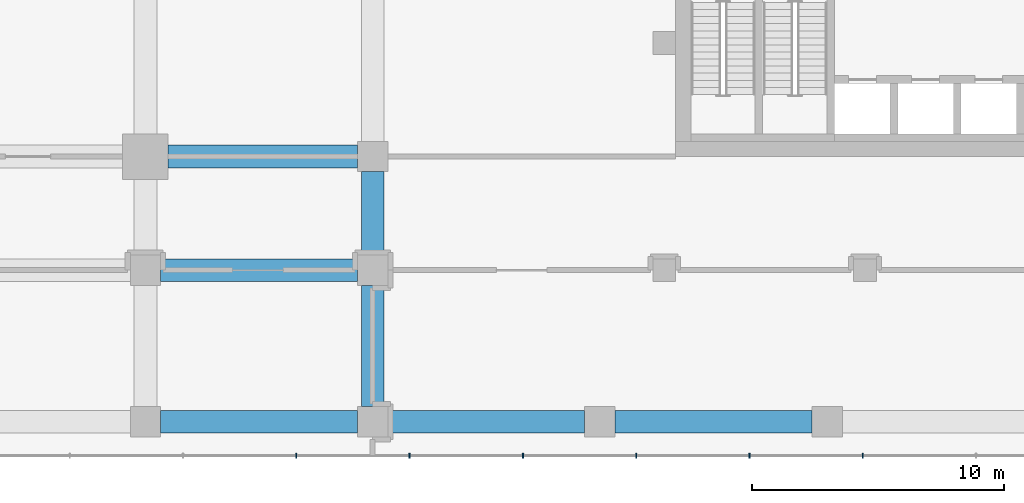
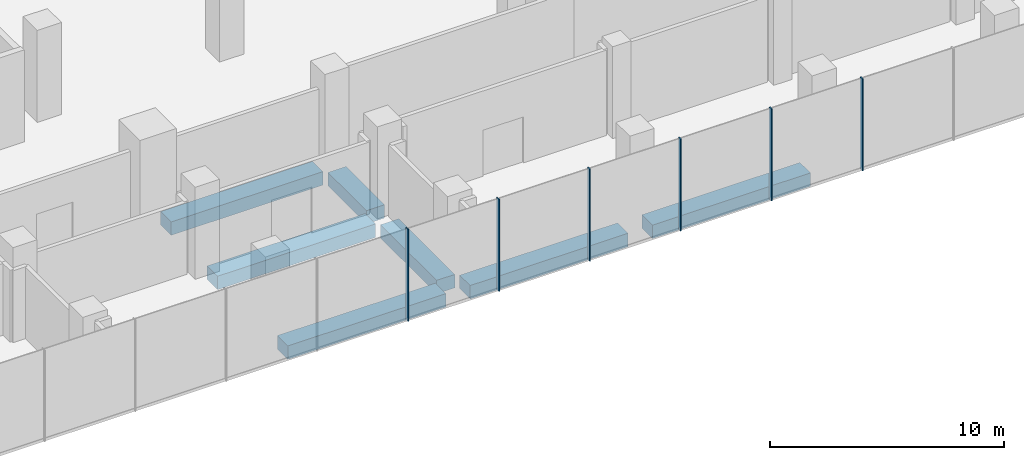
# One storey, part 13 of 42: 7 beams, 6 members, 1 element without a shape of its own.
"""IFC4 building model written with IfcOpenShell, lengths in metres."""

from ifc_helpers import new_model, si_unit, direction, frame, origin, origin_2d, place, context, subcontext, project, spatial, rectangle, extrude, material, layer, layer_set, material_profile, profile_set, type_object, element, aggregate, save


model = new_model("IFC4")

# Units and contexts
model_context = context("Model", 3, precision=1e-05, world=origin(), true_north=direction((0.0, 1.0)))
body_context = subcontext(model_context, "Body", "Model", "MODEL_VIEW")
ifc_project = project(units=[si_unit("LENGTHUNIT", "METRE"), si_unit("AREAUNIT", "SQUARE_METRE"), si_unit("VOLUMEUNIT", "CUBIC_METRE"), si_unit("PLANEANGLEUNIT", "RADIAN"), si_unit("MASSUNIT", "GRAM", prefix="KILO")], contexts=[model_context])

# Site, building, storey
site_placement = place(None, origin())
site = spatial("IfcSite", under=ifc_project, at=site_placement, CompositionType="ELEMENT")
building_placement = place(site_placement, origin())
building = spatial("IfcBuilding", under=site, at=building_placement, Name="Plateau Cross Towers", CompositionType="ELEMENT")
storey_placement = place(building_placement, frame((0.0, 0.0, 8.0)))
storey = spatial("IfcBuildingStorey", under=building, at=storey_placement, Name="L01", CompositionType="ELEMENT", Elevation=8.0)

# Curtain wall, members
ifc_material_1 = material(Name="Dark low-iron laminated glass", Category="glass")
ifc_layer = layer(ifc_material_1, 0.300048828125)
ifc_layer_set = layer_set([ifc_layer], Name="Dark low-iron laminated glass")
curtain_wall_type = type_object("IfcCurtainWallType", Name="Curtain wall structural silicone CW-C", PredefinedType="NOTDEFINED", material=ifc_layer_set)
curtain_wall_placement = place(storey_placement, origin())
curtain_wall = element("IfcCurtainWall", 1, at=curtain_wall_placement, inside=storey, type_object=curtain_wall_type, Name="ENV/P/L01/P-28_-118", PredefinedType="NOTDEFINED")
ifc_material_2 = material(Name="Black anodised aluminium", Category="aluminium")
ifc_material_profile_1 = material_profile(ifc_material_2, rectangle(XDim=0.050048828125, YDim=0.199951171875, at=origin_2d()), Name="MULLION 50x200")
ifc_profile_set_1 = profile_set([ifc_material_profile_1], Name="Black anodised aluminium")
member_type = type_object("IfcMemberType", Name="Mullion 50x200 structural silicone", PredefinedType="MULLION", material=ifc_profile_set_1)
member_1_placement = place(storey_placement, frame((59.97509765625, -11.85009765625, -0.35009765625), z_axis=(0.0, 0.0, 1.0), x_axis=(1.0, 0.0, 0.0)))
member_1 = element("IfcMember", 2, at=member_1_placement, type_object=member_type, Name="CW-C mullion 15", PredefinedType="MULLION", context=body_context, shape_type="SweptSolid", body=[
    extrude(rectangle(XDim=0.050048828125, YDim=0.199951171875, at=origin_2d()), origin(), (0.0, 0.0, 1.0), 4.800048828125),
])
member_2_placement = place(storey_placement, frame((64.46240234375, -11.85009765625, -0.35009765625), z_axis=(0.0, 0.0, 1.0), x_axis=(1.0, 0.0, 0.0)))
member_2 = element("IfcMember", 3, at=member_2_placement, type_object=member_type, Name="CW-C mullion 16", PredefinedType="MULLION", context=body_context, shape_type="SweptSolid", body=[
    extrude(rectangle(XDim=0.050048828125, YDim=0.199951171875, at=origin_2d()), origin(), (0.0, 0.0, 1.0), 4.800048828125),
])
member_3_placement = place(storey_placement, frame((68.949951171875, -11.85009765625, -0.35009765625), z_axis=(0.0, 0.0, 1.0), x_axis=(1.0, 0.0, 0.0)))
member_3 = element("IfcMember", 4, at=member_3_placement, type_object=member_type, Name="CW-C mullion 17", PredefinedType="MULLION", context=body_context, shape_type="SweptSolid", body=[
    extrude(rectangle(XDim=0.050048828125, YDim=0.199951171875, at=origin_2d()), origin(), (0.0, 0.0, 1.0), 4.800048828125),
])
member_4_placement = place(storey_placement, frame((73.4375, -11.85009765625, -0.35009765625), z_axis=(0.0, 0.0, 1.0), x_axis=(1.0, 0.0, 0.0)))
member_4 = element("IfcMember", 5, at=member_4_placement, type_object=member_type, Name="CW-C mullion 18", PredefinedType="MULLION", context=body_context, shape_type="SweptSolid", body=[
    extrude(rectangle(XDim=0.050048828125, YDim=0.199951171875, at=origin_2d()), origin(), (0.0, 0.0, 1.0), 4.800048828125),
])
member_5_placement = place(storey_placement, frame((77.925048828125, -11.85009765625, -0.35009765625), z_axis=(0.0, 0.0, 1.0), x_axis=(1.0, 0.0, 0.0)))
member_5 = element("IfcMember", 6, at=member_5_placement, type_object=member_type, Name="CW-C mullion 19", PredefinedType="MULLION", context=body_context, shape_type="SweptSolid", body=[
    extrude(rectangle(XDim=0.050048828125, YDim=0.199951171875, at=origin_2d()), origin(), (0.0, 0.0, 1.0), 4.800048828125),
])
member_6_placement = place(storey_placement, frame((82.41259765625, -11.85009765625, -0.35009765625), z_axis=(0.0, 0.0, 1.0), x_axis=(1.0, 0.0, 0.0)))
member_6 = element("IfcMember", 7, at=member_6_placement, type_object=member_type, Name="CW-C mullion 20", PredefinedType="MULLION", context=body_context, shape_type="SweptSolid", body=[
    extrude(rectangle(XDim=0.050048828125, YDim=0.199951171875, at=origin_2d()), origin(), (0.0, 0.0, 1.0), 4.800048828125),
])
aggregate(curtain_wall, [member_1, member_2, member_3, member_4, member_5, member_6])

# Beams
ifc_material_3 = material(Name="Concrete C50/60", Category="concrete")
ifc_material_profile_2 = material_profile(ifc_material_3, rectangle(XDim=0.89990234375, YDim=0.699951171875, at=origin_2d()), Name="RC 900x700")
ifc_profile_set_2 = profile_set([ifc_material_profile_2], Name="Concrete C50/60")
beam_type = type_object("IfcBeamType", Name="Podium band beam RC 900x700", PredefinedType="BEAM", material=ifc_profile_set_2)
for number, where, z_axis, x_axis, name in (
    (8, (54.60009765625, -10.5, -0.699951171875), (1.0, 0.0, 0.0), (0.0, 1.0, 0.0), "PB08@L01"),
    (9, (63.60009765625, -10.5, -0.699951171875), (1.0, 0.0, 0.0), (0.0, 1.0, 0.0), "PB09@L01"),
    (10, (72.60009765625, -10.5, -0.699951171875), (1.0, 0.0, 0.0), (0.0, 1.0, 0.0), "PB10@L01"),
    (11, (54.60009765625, -4.5, -0.699951171875), (1.0, 0.0, 0.0), (0.0, 1.0, 0.0), "PB21@L01"),
):
    element("IfcBeam", number, at=place(storey_placement, frame(where, z_axis=z_axis, x_axis=x_axis)), inside=storey, type_object=beam_type, Name=name, PredefinedType="BEAM", context=body_context, shape_type="SweptSolid", body=[
        extrude(rectangle(XDim=0.89990234375, YDim=0.699951171875, at=origin_2d()), origin(), (0.0, 0.0, 1.0), 7.7998046875),
    ])
beam_1_placement = place(storey_placement, frame((54.89990234375, 0.0, -0.699951171875), z_axis=(1.0, 0.0, 0.0), x_axis=(0.0, 1.0, 0.0)))
element("IfcBeam", 12, at=beam_1_placement, inside=storey, type_object=beam_type, Name="PB25@L01", PredefinedType="BEAM", context=body_context, shape_type="SweptSolid", body=[
    extrude(rectangle(XDim=0.89990234375, YDim=0.699951171875, at=origin_2d()), origin(), (0.0, 0.0, 1.0), 7.5),
])
beam_2_placement = place(storey_placement, frame((63.0, -9.89990234375, -0.699951171875), z_axis=(0.0, 1.0, 0.0), x_axis=(-1.0, 0.0, 0.0)))
element("IfcBeam", 13, at=beam_2_placement, inside=storey, type_object=beam_type, Name="PB148@L01", PredefinedType="BEAM", context=body_context, shape_type="SweptSolid", body=[
    extrude(rectangle(XDim=0.89990234375, YDim=0.699951171875, at=origin_2d()), origin(), (0.0, 0.0, 1.0), 4.7998046875),
])
beam_3_placement = place(storey_placement, frame((63.0, -3.89990234375, -0.699951171875), z_axis=(0.0, 1.0, 0.0), x_axis=(-1.0, 0.0, 0.0)))
element("IfcBeam", 14, at=beam_3_placement, inside=storey, type_object=beam_type, Name="PB149@L01", PredefinedType="BEAM", context=body_context, shape_type="SweptSolid", body=[
    extrude(rectangle(XDim=0.89990234375, YDim=0.699951171875, at=origin_2d()), origin(), (0.0, 0.0, 1.0), 3.2998046875),
])

save(model, "model.ifc")
